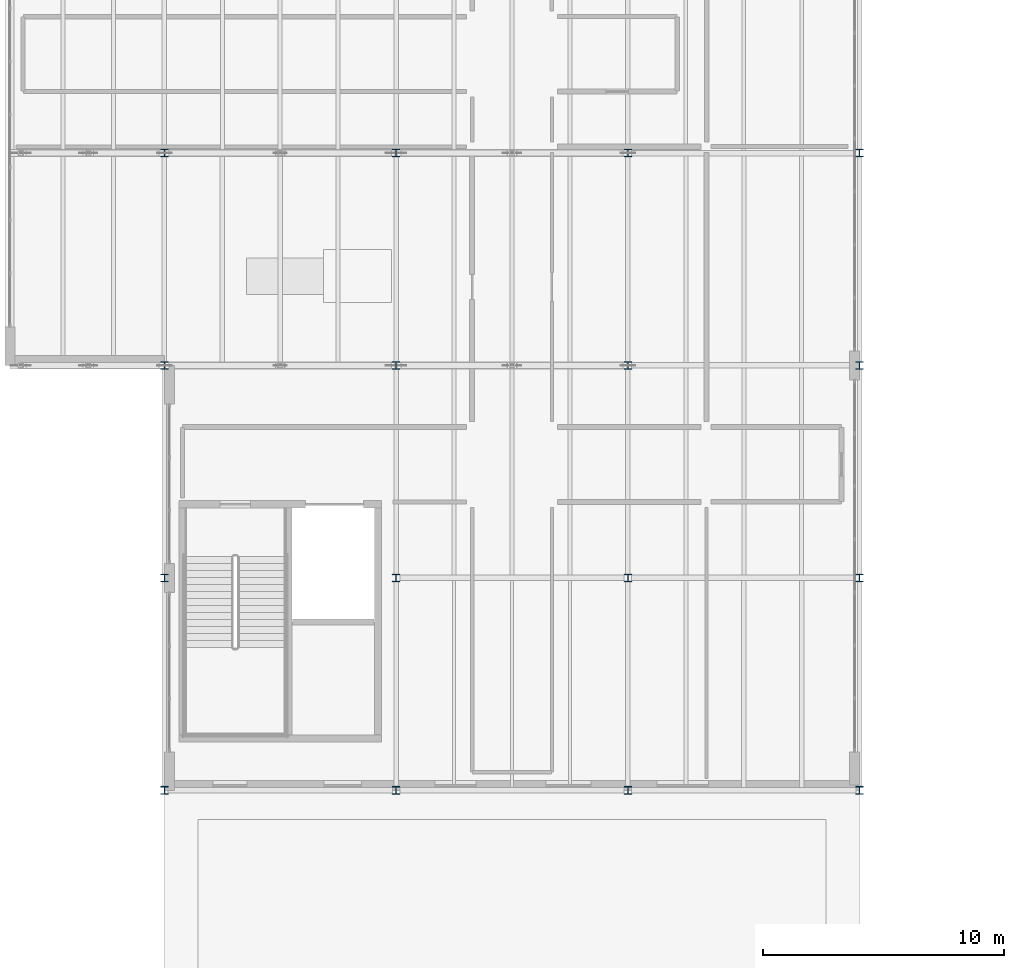
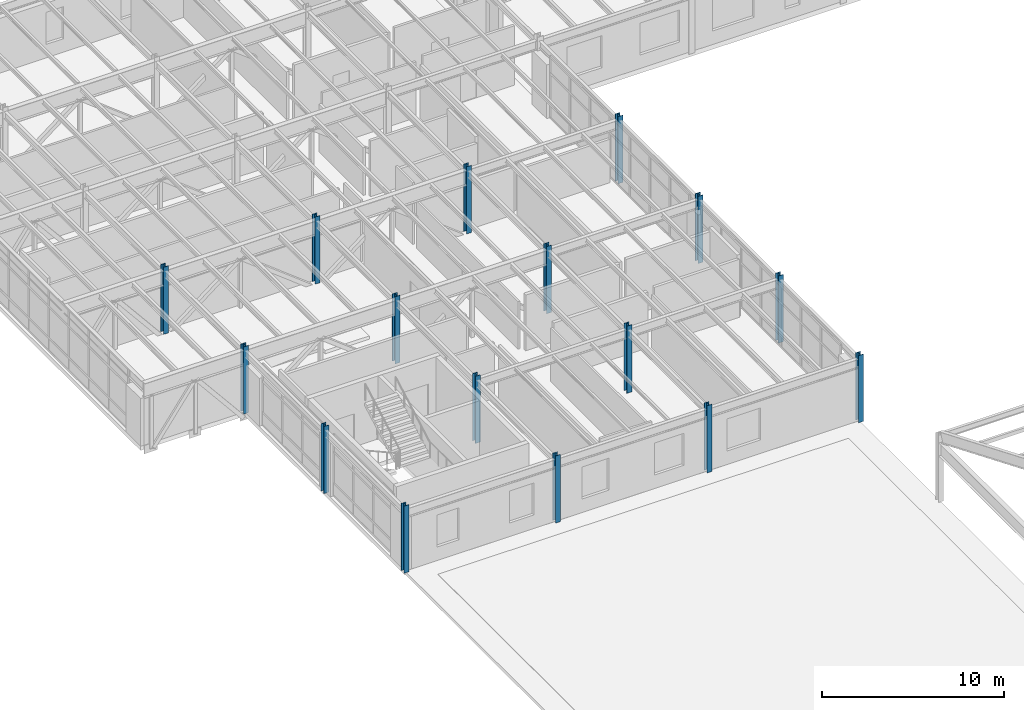
# One storey, part 2 of 88: 16 columns.
"""IFC4 building model written with IfcOpenShell, lengths in metres."""

from ifc_helpers import new_model, si_unit, direction, frame, origin, origin_2d, place, context, subcontext, project, spatial, i_section, extrude, material, material_profile, profile_set, type_object, element, save


model = new_model("IFC4")

# Units and contexts
model_context = context("Model", 3, precision=1e-05, world=origin(), true_north=direction((0.0, 1.0)))
body_context = subcontext(model_context, "Body", "Model", "MODEL_VIEW")
ifc_project = project(units=[si_unit("LENGTHUNIT", "METRE"), si_unit("AREAUNIT", "SQUARE_METRE"), si_unit("VOLUMEUNIT", "CUBIC_METRE"), si_unit("PLANEANGLEUNIT", "RADIAN"), si_unit("MASSUNIT", "GRAM", prefix="KILO")], contexts=[model_context])

# Site, building, storey
site_placement = place(None, origin())
site = spatial("IfcSite", under=ifc_project, at=site_placement, CompositionType="ELEMENT")
building_placement = place(site_placement, origin())
building = spatial("IfcBuilding", under=site, at=building_placement, Name="Sarnbrook Museum", CompositionType="ELEMENT")
storey_placement = place(building_placement, frame((0.0, 0.0, 10.10009765625)))
storey = spatial("IfcBuildingStorey", under=building, at=storey_placement, Name="L02", CompositionType="ELEMENT", Elevation=10.10009765625)

# Columns
ifc_material = material(Name="Structural Steel Grade 300PLUS (AS/NZS 3679.1, fy = 280 MPa for 17 < t <= 40 mm, 300 MPa for t <= 17 mm)", Category="steel")
ifc_material_profile = material_profile(ifc_material, i_section(OverallWidth=0.31103515625, OverallDepth=0.326904296875, WebThickness=0.015625, FlangeThickness=0.02490234375, FilletRadius=0.0166015625, at=origin_2d()), Name="310UC158")
ifc_profile_set = profile_set([ifc_material_profile], Name="Structural Steel Grade 300PLUS (AS/NZS 3679.1, fy = 280 MPa for 17 < t <= 40 mm, 300 MPa for t <= 17 mm)")
column_type = type_object("IfcColumnType", Name="COL-UC310H", PredefinedType="COLUMN", material=ifc_profile_set)
for number, where, z_axis, x_axis, name in (
    (1, (13.60009765625, 39.199951171875, 0.0), (0.0, 0.0, 1.0), (1.0, 0.0, 0.0), "Column 2-E L02"),
    (2, (13.60009765625, 48.0, 0.0), (0.0, 0.0, 1.0), (1.0, 0.0, 0.0), "Column 2-F L02"),
    (3, (13.60009765625, 56.800048828125, 0.0), (0.0, 0.0, 1.0), (1.0, 0.0, 0.0), "Column 2-G L02"),
    (4, (13.60009765625, 65.60009765625, 0.0), (0.0, 0.0, 1.0), (1.0, 0.0, 0.0), "Column 2-H L02"),
    (5, (23.199951171875, 39.199951171875, 0.0), (0.0, 0.0, 1.0), (1.0, 0.0, 0.0), "Column 3-E L02"),
    (6, (23.199951171875, 48.0, 0.0), (0.0, 0.0, 1.0), (1.0, 0.0, 0.0), "Column 3-F L02"),
    (7, (23.199951171875, 56.800048828125, 0.0), (0.0, 0.0, 1.0), (1.0, 0.0, 0.0), "Column 3-G L02"),
    (8, (23.199951171875, 65.60009765625, 0.0), (0.0, 0.0, 1.0), (1.0, 0.0, 0.0), "Column 3-H L02"),
    (9, (32.800048828125, 39.199951171875, 0.0), (0.0, 0.0, 1.0), (1.0, 0.0, 0.0), "Column 4-E L02"),
    (10, (32.800048828125, 48.0, 0.0), (0.0, 0.0, 1.0), (1.0, 0.0, 0.0), "Column 4-F L02"),
    (11, (32.800048828125, 56.800048828125, 0.0), (0.0, 0.0, 1.0), (1.0, 0.0, 0.0), "Column 4-G L02"),
    (12, (32.800048828125, 65.60009765625, 0.0), (0.0, 0.0, 1.0), (1.0, 0.0, 0.0), "Column 4-H L02"),
    (13, (42.39990234375, 39.199951171875, 0.0), (0.0, 0.0, 1.0), (1.0, 0.0, 0.0), "Column 5-E L02"),
    (14, (42.39990234375, 48.0, 0.0), (0.0, 0.0, 1.0), (1.0, 0.0, 0.0), "Column 5-F L02"),
    (15, (42.39990234375, 56.800048828125, 0.0), (0.0, 0.0, 1.0), (1.0, 0.0, 0.0), "Column 5-G L02"),
    (16, (42.39990234375, 65.60009765625, 0.0), (0.0, 0.0, 1.0), (1.0, 0.0, 0.0), "Column 5-H L02"),
):
    element("IfcColumn", number, at=place(storey_placement, frame(where, z_axis=z_axis, x_axis=x_axis)), inside=storey, type_object=column_type, Name=name, PredefinedType="COLUMN", context=body_context, shape_type="SweptSolid", body=[
        extrude(i_section(OverallWidth=0.31103515625, OverallDepth=0.326904296875, WebThickness=0.015625, FlangeThickness=0.02490234375, FilletRadius=0.0166015625, at=origin_2d()), origin(), (0.0, 0.0, 1.0), 4.5),
    ])

save(model, "model.ifc")
